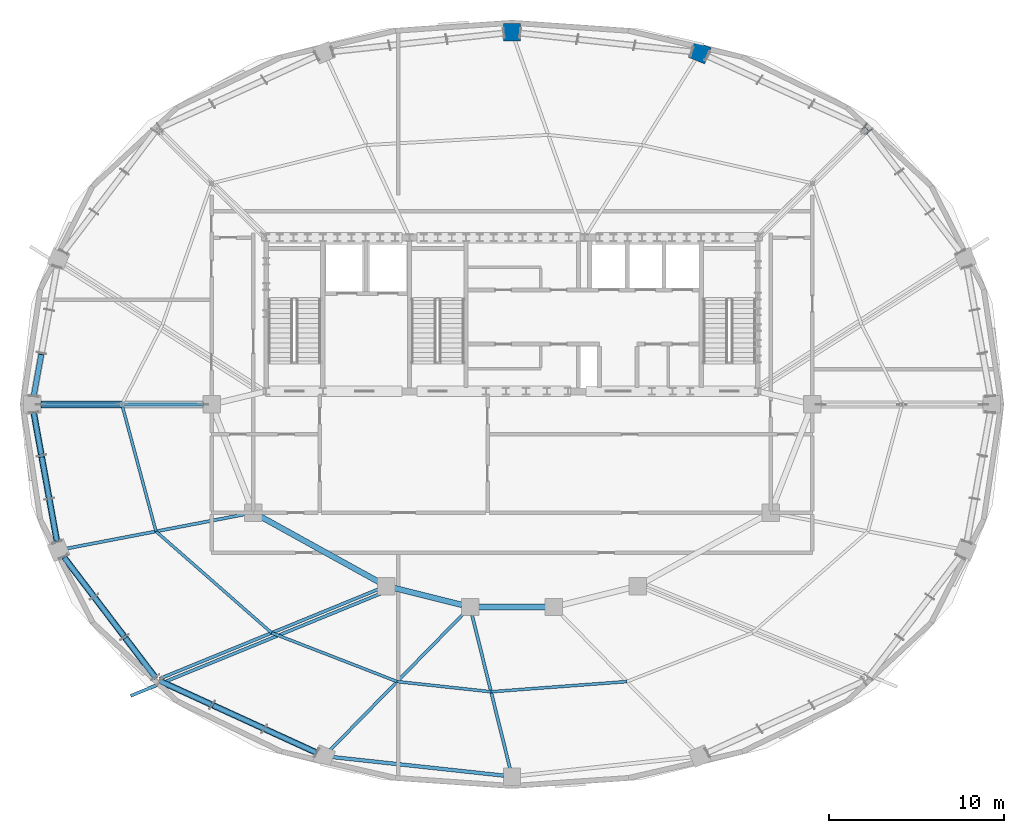
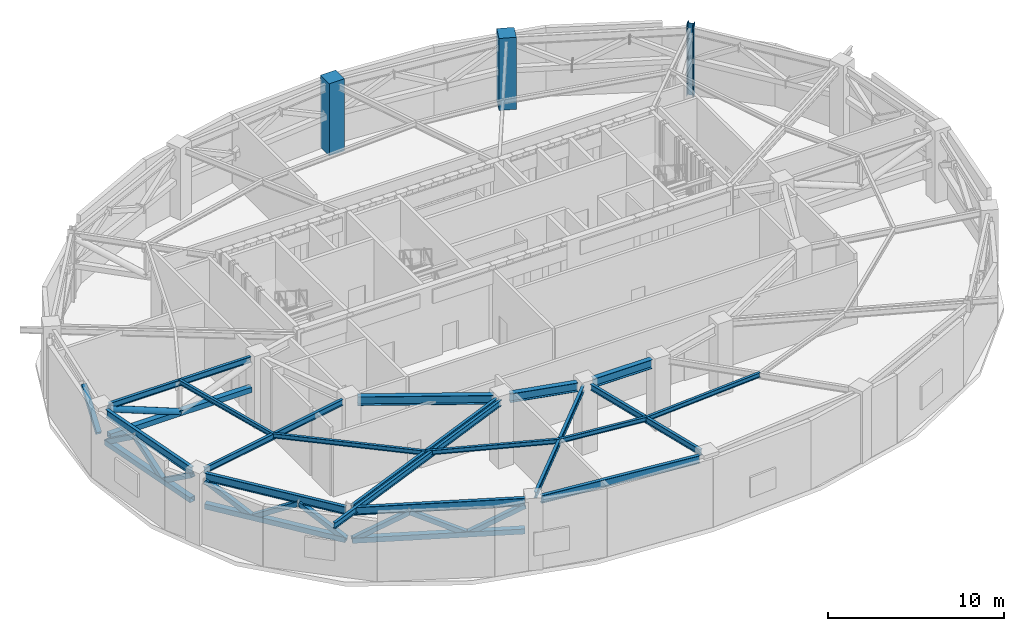
# One storey, part 2 of 20: 18 beams, 15 members, 3 columns.
"""IFC4 building model written with IfcOpenShell, lengths in metres."""

from ifc_helpers import new_model, si_unit, direction, frame, origin, origin_2d, place, context, subcontext, project, spatial, rectangle, hollow_rectangle, hollow_circle, i_section, extrude, material, material_profile, profile_set, type_object, element, save


model = new_model("IFC4")

# Units and contexts
model_context = context("Model", 3, precision=1e-05, world=origin(), true_north=direction((0.0, 1.0)))
body_context = subcontext(model_context, "Body", "Model", "MODEL_VIEW")
ifc_project = project(units=[si_unit("LENGTHUNIT", "METRE"), si_unit("AREAUNIT", "SQUARE_METRE"), si_unit("VOLUMEUNIT", "CUBIC_METRE"), si_unit("PLANEANGLEUNIT", "RADIAN"), si_unit("MASSUNIT", "GRAM", prefix="KILO")], contexts=[model_context])

# Site, building, storey
site_placement = place(None, origin())
site = spatial("IfcSite", under=ifc_project, at=site_placement, CompositionType="ELEMENT")
building_placement = place(site_placement, origin())
building = spatial("IfcBuilding", under=site, at=building_placement, Name="Haldorwick Loom Tower", CompositionType="ELEMENT")
storey_placement = place(building_placement, frame((0.0, 0.0, 222.10009765625)))
storey = spatial("IfcBuildingStorey", under=building, at=storey_placement, Name="L60", CompositionType="ELEMENT", Elevation=222.10009765625)

# Columns
ifc_material_1 = material(Name="Concrete C60 (60 MPa)", Category="concrete")
ifc_material_profile_1 = material_profile(ifc_material_1, rectangle(XDim=1.0, YDim=1.0, at=origin_2d()), Name="RC1000X1000", Category="concrete")
ifc_profile_set_1 = profile_set([ifc_material_profile_1], Name="Concrete C60 (60 MPa)")
column_type_1 = type_object("IfcColumnType", Name="STR-COL-RC1000", PredefinedType="COLUMN", material=ifc_profile_set_1)
for number, where, z_axis, x_axis, name in (
    (1, (46.75341796875, 46.140625, 0.0), (0.0, 0.0, 1.0), (0.382683432365, 0.923879532511, 0.0), "L60 Perimeter Pier Column P04"),
    (2, (36.0, 47.304931640625, 0.0), (0.0, 0.0, 1.0), (0.0, 1.0, 0.0), "L60 Perimeter Pier Column P05"),
):
    element("IfcColumn", number, at=place(storey_placement, frame(where, z_axis=z_axis, x_axis=x_axis)), inside=storey, type_object=column_type_1, Name=name, PredefinedType="COLUMN", context=body_context, shape_type="SweptSolid", body=[
        extrude(rectangle(XDim=1.0, YDim=1.0, at=origin_2d()), origin(), (0.0, 0.0, 1.0), 5.0),
    ])
ifc_material_2 = material(Name="Steel CSA G40.21 350W", Category="steel")
ifc_material_profile_2 = material_profile(ifc_material_2, i_section(OverallWidth=0.406005859375, OverallDepth=0.416015625, WebThickness=0.024169921875, FlangeThickness=0.03857421875, at=origin_2d()), Name="W360X382", Category="steel")
ifc_profile_set_2 = profile_set([ifc_material_profile_2], Name="Steel CSA G40.21 350W")
column_type_2 = type_object("IfcColumnType", Name="STR-COL-W360X382", PredefinedType="COLUMN", material=ifc_profile_set_2)
column_placement = place(storey_placement, frame((56.317626953125, 41.764892578125, 0.0), z_axis=(0.0, 0.0, 1.0), x_axis=(0.707106781187, 0.707106781187, 0.0)))
element("IfcColumn", 3, at=column_placement, inside=storey, type_object=column_type_2, Name="L60 Perimeter Pier Column P03", PredefinedType="COLUMN", context=body_context, shape_type="SweptSolid", body=[
    extrude(i_section(OverallWidth=0.406005859375, OverallDepth=0.416015625, WebThickness=0.024169921875, FlangeThickness=0.03857421875, at=origin_2d()), origin(), (0.0, 0.0, 1.0), 5.0),
])

# Beams
ifc_material_profile_3 = material_profile(ifc_material_2, i_section(OverallWidth=0.179931640625, OverallDepth=0.4130859375, WebThickness=0.009765625, FlangeThickness=0.01611328125, at=origin_2d()), Name="W410X74", Category="steel")
ifc_profile_set_3 = profile_set([ifc_material_profile_3], Name="Steel CSA G40.21 350W")
beam_type_1 = type_object("IfcBeamType", Name="STR-BM-BAL410", PredefinedType="BEAM", material=ifc_profile_set_3)
beam_1_placement = place(storey_placement, frame((28.46630859375, 15.160888671875, 4.553466796875), z_axis=(-0.925585721791, -0.378538071556, 0.0), x_axis=(0.378538071556, -0.925585721791, 0.0)))
element("IfcBeam", 4, at=beam_1_placement, inside=storey, type_object=beam_type_1, Name="L60 Continuous Back-Spanned Balcony Beam 2", PredefinedType="BEAM", context=body_context, shape_type="SweptSolid", body=[
    extrude(i_section(OverallWidth=0.179931640625, OverallDepth=0.4130859375, WebThickness=0.009765625, FlangeThickness=0.01611328125, at=origin_2d()), origin(), (0.0, 0.0, 1.0), 15.447265625),
])
ifc_material_profile_4 = material_profile(ifc_material_2, i_section(OverallWidth=0.166015625, OverallDepth=0.31298828125, WebThickness=0.006591796875, FlangeThickness=0.01123046875, at=origin_2d()), Name="W310X45", Category="steel")
ifc_profile_set_4 = profile_set([ifc_material_profile_4], Name="Steel CSA G40.21 350W")
beam_type_2 = type_object("IfcBeamType", Name="STR-BM-J310", PredefinedType="JOIST", material=ifc_profile_set_4)
beam_2_placement = place(storey_placement, frame((13.666748046875, 26.0, 4.603515625), z_axis=(0.259353588718, -0.965782437208, 0.0), x_axis=(0.965782437208, 0.259353588718, 0.0)))
element("IfcBeam", 5, at=beam_2_placement, inside=storey, type_object=beam_type_2, Name="L60 Mid-Bay Secondary Joist 9", PredefinedType="JOIST", context=body_context, shape_type="SweptSolid", body=[
    extrude(i_section(OverallWidth=0.166015625, OverallDepth=0.31298828125, WebThickness=0.006591796875, FlangeThickness=0.01123046875, at=origin_2d()), origin(), (0.0, 0.0, 1.0), 7.52880859375),
])
beam_3_placement = place(storey_placement, frame((15.619384765625, 18.728759765625, 4.603515625), z_axis=(0.751609427289, -0.659608420815, 0.0), x_axis=(0.659608420815, 0.751609427289, 0.0)))
element("IfcBeam", 6, at=beam_3_placement, inside=storey, type_object=beam_type_2, Name="L60 Mid-Bay Secondary Joist 10", PredefinedType="JOIST", context=body_context, shape_type="SweptSolid", body=[
    extrude(i_section(OverallWidth=0.166015625, OverallDepth=0.31298828125, WebThickness=0.006591796875, FlangeThickness=0.01123046875, at=origin_2d()), origin(), (0.0, 0.0, 1.0), 8.810302734375),
])
beam_4_placement = place(storey_placement, frame((22.2412109375, 12.91748046875, 4.603515625), z_axis=(0.932232852675, -0.36185896202, 0.0), x_axis=(0.36185896202, 0.932232852675, 0.0)))
element("IfcBeam", 7, at=beam_4_placement, inside=storey, type_object=beam_type_2, Name="L60 Mid-Bay Secondary Joist 11", PredefinedType="JOIST", context=body_context, shape_type="SweptSolid", body=[
    extrude(i_section(OverallWidth=0.166015625, OverallDepth=0.31298828125, WebThickness=0.006591796875, FlangeThickness=0.01123046875, at=origin_2d()), origin(), (0.0, 0.0, 1.0), 7.7041015625),
])
beam_5_placement = place(storey_placement, frame((29.42333984375, 10.129638671875, 4.603515625), z_axis=(0.994191913888, -0.107621737398, 0.0), x_axis=(0.107621737398, 0.994191913888, 0.0)))
element("IfcBeam", 8, at=beam_5_placement, inside=storey, type_object=beam_type_2, Name="L60 Mid-Bay Secondary Joist 12", PredefinedType="JOIST", context=body_context, shape_type="SweptSolid", body=[
    extrude(i_section(OverallWidth=0.166015625, OverallDepth=0.31298828125, WebThickness=0.006591796875, FlangeThickness=0.01123046875, at=origin_2d()), origin(), (0.0, 0.0, 1.0), 5.408203125),
])
beam_6_placement = place(storey_placement, frame((34.800048828125, 9.547607421875, 4.603515625), z_axis=(0.997210913817, 0.074635067923, 0.0), x_axis=(-0.074635067923, 0.997210913817, 0.0)))
element("IfcBeam", 9, at=beam_6_placement, inside=storey, type_object=beam_type_2, Name="L60 Mid-Bay Secondary Joist 13", PredefinedType="JOIST", context=body_context, shape_type="SweptSolid", body=[
    extrude(i_section(OverallWidth=0.166015625, OverallDepth=0.31298828125, WebThickness=0.006591796875, FlangeThickness=0.01123046875, at=origin_2d()), origin(), (0.0, 0.0, 1.0), 7.79833984375),
])
ifc_material_profile_5 = material_profile(ifc_material_2, i_section(OverallWidth=0.179931640625, OverallDepth=0.4130859375, WebThickness=0.009765625, FlangeThickness=0.01611328125, at=origin_2d()), Name="W410X74", Category="steel")
ifc_profile_set_5 = profile_set([ifc_material_profile_5], Name="Steel CSA G40.21 350W")
beam_type_3 = type_object("IfcBeamType", Name="STR-BM-J410", PredefinedType="JOIST", material=ifc_profile_set_5)
beam_7_placement = place(storey_placement, frame((18.324951171875, 26.0, 4.553466796875), z_axis=(-1.0, 0.0, 0.0), x_axis=(0.0, -1.0, 0.0)))
element("IfcBeam", 10, at=beam_7_placement, inside=storey, type_object=beam_type_3, Name="L60 Radial Floor Girder 9", PredefinedType="JOIST", context=body_context, shape_type="SweptSolid", body=[
    extrude(i_section(OverallWidth=0.179931640625, OverallDepth=0.4130859375, WebThickness=0.009765625, FlangeThickness=0.01611328125, at=origin_2d()), origin(), (0.0, 0.0, 1.0), 9.31640625),
])
beam_8_placement = place(storey_placement, frame((20.7333984375, 19.71044921875, 4.553466796875), z_axis=(-0.982068761346, -0.188523070173, 0.0), x_axis=(0.188523070173, -0.982068761346, 0.0)))
element("IfcBeam", 11, at=beam_8_placement, inside=storey, type_object=beam_type_3, Name="L60 Radial Floor Girder 10", PredefinedType="JOIST", context=body_context, shape_type="SweptSolid", body=[
    extrude(i_section(OverallWidth=0.179931640625, OverallDepth=0.4130859375, WebThickness=0.009765625, FlangeThickness=0.01611328125, at=origin_2d()), origin(), (0.0, 0.0, 1.0), 10.41455078125),
])
beam_9_placement = place(storey_placement, frame((28.3603515625, 15.420166015625, 4.553466796875), z_axis=(-0.925582046891, -0.378547057145, 0.0), x_axis=(0.378547057145, -0.925582046891, 0.0)))
element("IfcBeam", 12, at=beam_9_placement, inside=storey, type_object=beam_type_3, Name="L60 Radial Floor Girder 11", PredefinedType="JOIST", context=body_context, shape_type="SweptSolid", body=[
    extrude(i_section(OverallWidth=0.179931640625, OverallDepth=0.4130859375, WebThickness=0.009765625, FlangeThickness=0.01611328125, at=origin_2d()), origin(), (0.0, 0.0, 1.0), 13.519287109375),
])
beam_10_placement = place(storey_placement, frame((33.267822265625, 14.060302734375, 4.553466796875), z_axis=(-0.6992374297, -0.714889513775, 0.0), x_axis=(0.714889513775, -0.6992374297, 0.0)))
element("IfcBeam", 13, at=beam_10_placement, inside=storey, type_object=beam_type_3, Name="L60 Radial Floor Girder 12", PredefinedType="JOIST", context=body_context, shape_type="SweptSolid", body=[
    extrude(i_section(OverallWidth=0.179931640625, OverallDepth=0.4130859375, WebThickness=0.009765625, FlangeThickness=0.01611328125, at=origin_2d()), origin(), (0.0, 0.0, 1.0), 10.99658203125),
])
beam_11_placement = place(storey_placement, frame((33.714111328125, 13.93896484375, 4.553466796875), z_axis=(0.240052275929, -0.970759962515, 0.0), x_axis=(0.970759962515, 0.240052275929, 0.0)))
element("IfcBeam", 14, at=beam_11_placement, inside=storey, type_object=beam_type_3, Name="L60 Radial Floor Girder 13", PredefinedType="JOIST", context=body_context, shape_type="SweptSolid", body=[
    extrude(i_section(OverallWidth=0.179931640625, OverallDepth=0.4130859375, WebThickness=0.009765625, FlangeThickness=0.01611328125, at=origin_2d()), origin(), (0.0, 0.0, 1.0), 9.047607421875),
])
ifc_material_profile_6 = material_profile(ifc_material_2, i_section(OverallWidth=0.2119140625, OverallDepth=0.5439453125, WebThickness=0.01318359375, FlangeThickness=0.021240234375, at=origin_2d()), Name="W530X123", Category="steel")
ifc_profile_set_6 = profile_set([ifc_material_profile_6], Name="Steel CSA G40.21 350W")
beam_type_4 = type_object("IfcBeamType", Name="STR-BM-SP530", PredefinedType="SPANDREL", material=ifc_profile_set_6)
beam_12_placement = place(storey_placement, frame((8.617919921875, 25.532470703125, 4.48779296875), z_axis=(0.177580880494, -0.984106209148, 0.0), x_axis=(0.984106209148, 0.177580880494, 0.0)))
element("IfcBeam", 15, at=beam_12_placement, inside=storey, type_object=beam_type_4, Name="L60 Perimeter Spandrel 9", PredefinedType="SPANDREL", context=body_context, shape_type="SweptSolid", body=[
    extrude(i_section(OverallWidth=0.2119140625, OverallDepth=0.5439453125, WebThickness=0.01318359375, FlangeThickness=0.021240234375, at=origin_2d()), origin(), (0.0, 0.0, 1.0), 7.527099609375),
])
beam_13_placement = place(storey_placement, frame((10.326416015625, 17.279296875, 4.48779296875), z_axis=(0.605253156055, -0.796033050247, 0.0), x_axis=(0.796033050247, 0.605253156055, 0.0)))
element("IfcBeam", 16, at=beam_13_placement, inside=storey, type_object=beam_type_4, Name="L60 Perimeter Spandrel 10", PredefinedType="SPANDREL", context=body_context, shape_type="SweptSolid", body=[
    extrude(i_section(OverallWidth=0.2119140625, OverallDepth=0.5439453125, WebThickness=0.01318359375, FlangeThickness=0.021240234375, at=origin_2d()), origin(), (0.0, 0.0, 1.0), 8.671142578125),
])
beam_14_placement = place(storey_placement, frame((15.84423828125, 10.160888671875, 4.48779296875), z_axis=(0.909350907904, -0.41602995841, 0.0), x_axis=(0.41602995841, 0.909350907904, 0.0)))
element("IfcBeam", 17, at=beam_14_placement, inside=storey, type_object=beam_type_4, Name="L60 Perimeter Spandrel 11", PredefinedType="SPANDREL", context=body_context, shape_type="SweptSolid", body=[
    extrude(i_section(OverallWidth=0.2119140625, OverallDepth=0.5439453125, WebThickness=0.01318359375, FlangeThickness=0.021240234375, at=origin_2d()), origin(), (0.0, 0.0, 1.0), 9.86474609375),
])
beam_15_placement = place(storey_placement, frame((25.71875, 5.808349609375, 4.48779296875), z_axis=(0.994187378218, -0.107663628917, 0.0), x_axis=(0.107663628917, 0.994187378218, 0.0)))
element("IfcBeam", 18, at=beam_15_placement, inside=storey, type_object=beam_type_4, Name="L60 Perimeter Spandrel 12", PredefinedType="SPANDREL", context=body_context, shape_type="SweptSolid", body=[
    extrude(i_section(OverallWidth=0.2119140625, OverallDepth=0.5439453125, WebThickness=0.01318359375, FlangeThickness=0.021240234375, at=origin_2d()), origin(), (0.0, 0.0, 1.0), 9.866455078125),
])
ifc_material_profile_7 = material_profile(ifc_material_2, i_section(OverallWidth=0.324951171875, OverallDepth=0.615966796875, WebThickness=0.013916015625, FlangeThickness=0.021484375, at=origin_2d()), Name="W610X174", Category="steel")
ifc_profile_set_7 = profile_set([ifc_material_profile_7], Name="Steel CSA G40.21 350W")
beam_type_5 = type_object("IfcBeamType", Name="STR-BM-W610A", PredefinedType="BEAM", material=ifc_profile_set_7)
beam_16_placement = place(storey_placement, frame((37.925048828125, 14.39990234375, 4.451904296875), z_axis=(-1.0, 0.0, 0.0), x_axis=(0.0, -1.0, 0.0)))
element("IfcBeam", 19, at=beam_16_placement, inside=storey, type_object=beam_type_5, Name="L60 Inner Ring Girder 5", PredefinedType="BEAM", context=body_context, shape_type="SweptSolid", body=[
    extrude(i_section(OverallWidth=0.324951171875, OverallDepth=0.615966796875, WebThickness=0.013916015625, FlangeThickness=0.021484375, at=origin_2d()), origin(), (0.0, 0.0, 1.0), 3.85009765625),
])
beam_17_placement = place(storey_placement, frame((33.13916015625, 14.51513671875, 4.451904296875), z_axis=(-0.970135315182, 0.242564363081, 0.0), x_axis=(-0.242564363081, -0.970135315182, 0.0)))
element("IfcBeam", 20, at=beam_17_placement, inside=storey, type_object=beam_type_5, Name="L60 Inner Ring Girder 6", PredefinedType="BEAM", context=body_context, shape_type="SweptSolid", body=[
    extrude(i_section(OverallWidth=0.324951171875, OverallDepth=0.615966796875, WebThickness=0.013916015625, FlangeThickness=0.021484375, at=origin_2d()), origin(), (0.0, 0.0, 1.0), 3.997802734375),
])
beam_18_placement = place(storey_placement, frame((28.38427734375, 15.829833984375, 4.451904296875), z_axis=(-0.875243645673, 0.483682293152, 0.0), x_axis=(-0.483682293152, -0.875243645673, 0.0)))
element("IfcBeam", 21, at=beam_18_placement, inside=storey, type_object=beam_type_5, Name="L60 Inner Ring Girder 7", PredefinedType="BEAM", context=body_context, shape_type="SweptSolid", body=[
    extrude(i_section(OverallWidth=0.324951171875, OverallDepth=0.615966796875, WebThickness=0.013916015625, FlangeThickness=0.021484375, at=origin_2d()), origin(), (0.0, 0.0, 1.0), 7.7333984375),
])

# Members
ifc_material_profile_8 = material_profile(ifc_material_2, hollow_rectangle(XDim=0.3046875, YDim=0.3046875, WallThickness=0.0126953125, at=origin_2d()), Name="HSS305X305X13", Category="steel")
ifc_profile_set_8 = profile_set([ifc_material_profile_8], Name="Steel CSA G40.21 350W")
member_type_1 = type_object("IfcMemberType", Name="STR-MEM-BR305", PredefinedType="BRACE", material=ifc_profile_set_8)
for number, where, z_axis, x_axis, name in (
    (22, (9.0634765625, 28.936767578125, 4.2158203125), (-0.146579770823, -0.812333042249, -0.564472673613), (0.984107231931, -0.177575212406, 0.0), "L60 Perimeter Belt Truss Web Diagonal 8-3"),
    (23, (8.617919921875, 25.532470703125, 2.5), (0.146579770823, -0.812333042249, 0.564472673613), (0.984107231931, 0.177575212406, 0.0), "L60 Perimeter Belt Truss Web Diagonal 9-1"),
):
    element("IfcMember", number, at=place(storey_placement, frame(where, z_axis=z_axis, x_axis=x_axis)), inside=storey, type_object=member_type_1, Name=name, PredefinedType="BRACE", context=body_context, shape_type="SweptSolid", body=[
        extrude(hollow_rectangle(XDim=0.3046875, YDim=0.3046875, WallThickness=0.0126953125, at=origin_2d()), origin(), (0.0, 0.0, 1.0), 3.039794921875),
    ])
member_1_placement = place(storey_placement, frame((9.0634765625, 23.063232421875, 4.2158203125), z_axis=(0.14658933484, -0.812305722324, -0.564509504251), x_axis=(0.984104163287, 0.177592217739, 0.0)))
element("IfcMember", 24, at=member_1_placement, inside=storey, type_object=member_type_1, Name="L60 Perimeter Belt Truss Web Diagonal 9-2", PredefinedType="BRACE", context=body_context, shape_type="SweptSolid", body=[
    extrude(hollow_rectangle(XDim=0.3046875, YDim=0.3046875, WallThickness=0.0126953125, at=origin_2d()), origin(), (0.0, 0.0, 1.0), 3.03955078125),
])
member_2_placement = place(storey_placement, frame((9.509033203125, 20.59423828125, 2.5), z_axis=(0.146579770823, -0.812333042249, 0.564472673613), x_axis=(0.984107231931, 0.177575212406, 0.0)))
element("IfcMember", 25, at=member_2_placement, inside=storey, type_object=member_type_1, Name="L60 Perimeter Belt Truss Web Diagonal 9-3", PredefinedType="BRACE", context=body_context, shape_type="SweptSolid", body=[
    extrude(hollow_rectangle(XDim=0.3046875, YDim=0.3046875, WallThickness=0.0126953125, at=origin_2d()), origin(), (0.0, 0.0, 1.0), 3.039794921875),
])
member_3_placement = place(storey_placement, frame((10.326416015625, 17.279296875, 4.2158203125), z_axis=(0.520484622649, -0.684488847872, -0.510461335191), x_axis=(0.796009170115, 0.60528456208, 0.0)))
element("IfcMember", 26, at=member_3_placement, inside=storey, type_object=member_type_1, Name="L60 Perimeter Belt Truss Web Diagonal 10-1", PredefinedType="BRACE", context=body_context, shape_type="SweptSolid", body=[
    extrude(hollow_rectangle(XDim=0.3046875, YDim=0.3046875, WallThickness=0.0126953125, at=origin_2d()), origin(), (0.0, 0.0, 1.0), 3.361328125),
])
member_4_placement = place(storey_placement, frame((12.075927734375, 14.978515625, 2.5), z_axis=(0.520431663586, -0.684514724024, 0.510480632475), x_axis=(0.796049867215, 0.605231037627, 0.0)))
element("IfcMember", 27, at=member_4_placement, inside=storey, type_object=member_type_1, Name="L60 Perimeter Belt Truss Web Diagonal 10-2", PredefinedType="BRACE", context=body_context, shape_type="SweptSolid", body=[
    extrude(hollow_rectangle(XDim=0.3046875, YDim=0.3046875, WallThickness=0.0126953125, at=origin_2d()), origin(), (0.0, 0.0, 1.0), 3.361083984375),
])
member_5_placement = place(storey_placement, frame((13.8251953125, 12.677734375, 4.2158203125), z_axis=(0.520458746715, -0.684527447362, -0.510435957566), x_axis=(0.796040112814, 0.605243867207, 0.0)))
element("IfcMember", 28, at=member_5_placement, inside=storey, type_object=member_type_1, Name="L60 Perimeter Belt Truss Web Diagonal 10-3", PredefinedType="BRACE", context=body_context, shape_type="SweptSolid", body=[
    extrude(hollow_rectangle(XDim=0.3046875, YDim=0.3046875, WallThickness=0.0126953125, at=origin_2d()), origin(), (0.0, 0.0, 1.0), 3.361572265625),
])
member_6_placement = place(storey_placement, frame((15.84423828125, 10.160888671875, 2.5), z_axis=(0.806208499388, -0.368810109575, 0.46260886134), x_axis=(0.41600013021, 0.909364553777, 0.0)))
element("IfcMember", 29, at=member_6_placement, inside=storey, type_object=member_type_1, Name="L60 Perimeter Belt Truss Web Diagonal 11-1", PredefinedType="BRACE", context=body_context, shape_type="SweptSolid", body=[
    extrude(hollow_rectangle(XDim=0.3046875, YDim=0.3046875, WallThickness=0.0126953125, at=origin_2d()), origin(), (0.0, 0.0, 1.0), 3.708984375),
])
member_7_placement = place(storey_placement, frame((18.83447265625, 8.79296875, 4.2158203125), z_axis=(0.80618545743, -0.368829682206, -0.462633411841), x_axis=(0.416028218842, 0.909351703758, 0.0)))
element("IfcMember", 30, at=member_7_placement, inside=storey, type_object=member_type_1, Name="L60 Perimeter Belt Truss Web Diagonal 11-2", PredefinedType="BRACE", context=body_context, shape_type="SweptSolid", body=[
    extrude(hollow_rectangle(XDim=0.3046875, YDim=0.3046875, WallThickness=0.0126953125, at=origin_2d()), origin(), (0.0, 0.0, 1.0), 3.708740234375),
])
member_8_placement = place(storey_placement, frame((21.824462890625, 7.425048828125, 2.5), z_axis=(0.806188926481, -0.368866977792, 0.462597630251), x_axis=(0.416061524611, 0.909336465638, 0.0)))
element("IfcMember", 31, at=member_8_placement, inside=storey, type_object=member_type_1, Name="L60 Perimeter Belt Truss Web Diagonal 11-3", PredefinedType="BRACE", context=body_context, shape_type="SweptSolid", body=[
    extrude(hollow_rectangle(XDim=0.3046875, YDim=0.3046875, WallThickness=0.0126953125, at=origin_2d()), origin(), (0.0, 0.0, 1.0), 3.708984375),
])
ifc_material_profile_9 = material_profile(ifc_material_2, hollow_circle(Radius=0.203125, WallThickness=0.0126953125, at=origin_2d()), Name="HSS406X13", Category="steel")
ifc_profile_set_9 = profile_set([ifc_material_profile_9], Name="Steel CSA G40.21 350W")
member_type_2 = type_object("IfcMemberType", Name="STR-MEM-BR406C", PredefinedType="BRACE", material=ifc_profile_set_9)
member_9_placement = place(storey_placement, frame((13.666748046875, 26.0, 2.5), z_axis=(-0.929598051157, 0.0, 0.368574908648), x_axis=(0.0, -1.0, 0.0)))
element("IfcMember", 32, at=member_9_placement, inside=storey, type_object=member_type_2, Name="L60 Outrigger OT-W Outer Diagonal", PredefinedType="BRACE", context=body_context, shape_type="SweptSolid", body=[
    extrude(hollow_circle(Radius=0.203125, WallThickness=0.0126953125, at=origin_2d()), origin(), (0.0, 0.0, 1.0), 5.010986328125),
])
ifc_material_profile_10 = material_profile(ifc_material_2, hollow_rectangle(XDim=0.355712890625, YDim=0.355712890625, WallThickness=0.015869140625, at=origin_2d()), Name="HSS356X356X16", Category="steel")
ifc_profile_set_10 = profile_set([ifc_material_profile_10], Name="Steel CSA G40.21 350W")
member_type_3 = type_object("IfcMemberType", Name="STR-MEM-CH356", PredefinedType="CHORD", material=ifc_profile_set_10)
member_10_placement = place(storey_placement, frame((8.617919921875, 25.532470703125, 2.5), z_axis=(0.177580880494, -0.984106209148, 0.0), x_axis=(0.984106209148, 0.177580880494, 0.0)))
element("IfcMember", 33, at=member_10_placement, inside=storey, type_object=member_type_3, Name="L60 Perimeter Belt Truss Bottom Chord 9", PredefinedType="CHORD", context=body_context, shape_type="SweptSolid", body=[
    extrude(hollow_rectangle(XDim=0.355712890625, YDim=0.355712890625, WallThickness=0.015869140625, at=origin_2d()), origin(), (0.0, 0.0, 1.0), 7.527099609375),
])
member_11_placement = place(storey_placement, frame((10.326416015625, 17.279296875, 2.5), z_axis=(0.605253156055, -0.796033050247, 0.0), x_axis=(0.796033050247, 0.605253156055, 0.0)))
element("IfcMember", 34, at=member_11_placement, inside=storey, type_object=member_type_3, Name="L60 Perimeter Belt Truss Bottom Chord 10", PredefinedType="CHORD", context=body_context, shape_type="SweptSolid", body=[
    extrude(hollow_rectangle(XDim=0.355712890625, YDim=0.355712890625, WallThickness=0.015869140625, at=origin_2d()), origin(), (0.0, 0.0, 1.0), 8.671142578125),
])
member_12_placement = place(storey_placement, frame((15.84423828125, 10.160888671875, 2.5), z_axis=(0.909350907904, -0.41602995841, 0.0), x_axis=(0.41602995841, 0.909350907904, 0.0)))
element("IfcMember", 35, at=member_12_placement, inside=storey, type_object=member_type_3, Name="L60 Perimeter Belt Truss Bottom Chord 11", PredefinedType="CHORD", context=body_context, shape_type="SweptSolid", body=[
    extrude(hollow_rectangle(XDim=0.355712890625, YDim=0.355712890625, WallThickness=0.015869140625, at=origin_2d()), origin(), (0.0, 0.0, 1.0), 9.86474609375),
])
member_13_placement = place(storey_placement, frame((18.324951171875, 26.0, 2.5), z_axis=(-1.0, 0.0, 0.0), x_axis=(0.0, -1.0, 0.0)))
element("IfcMember", 36, at=member_13_placement, inside=storey, type_object=member_type_3, Name="L60 Outrigger OT-W Bottom Chord", PredefinedType="CHORD", context=body_context, shape_type="SweptSolid", body=[
    extrude(hollow_rectangle(XDim=0.355712890625, YDim=0.355712890625, WallThickness=0.015869140625, at=origin_2d()), origin(), (0.0, 0.0, 1.0), 9.31640625),
])

save(model, "model.ifc")
